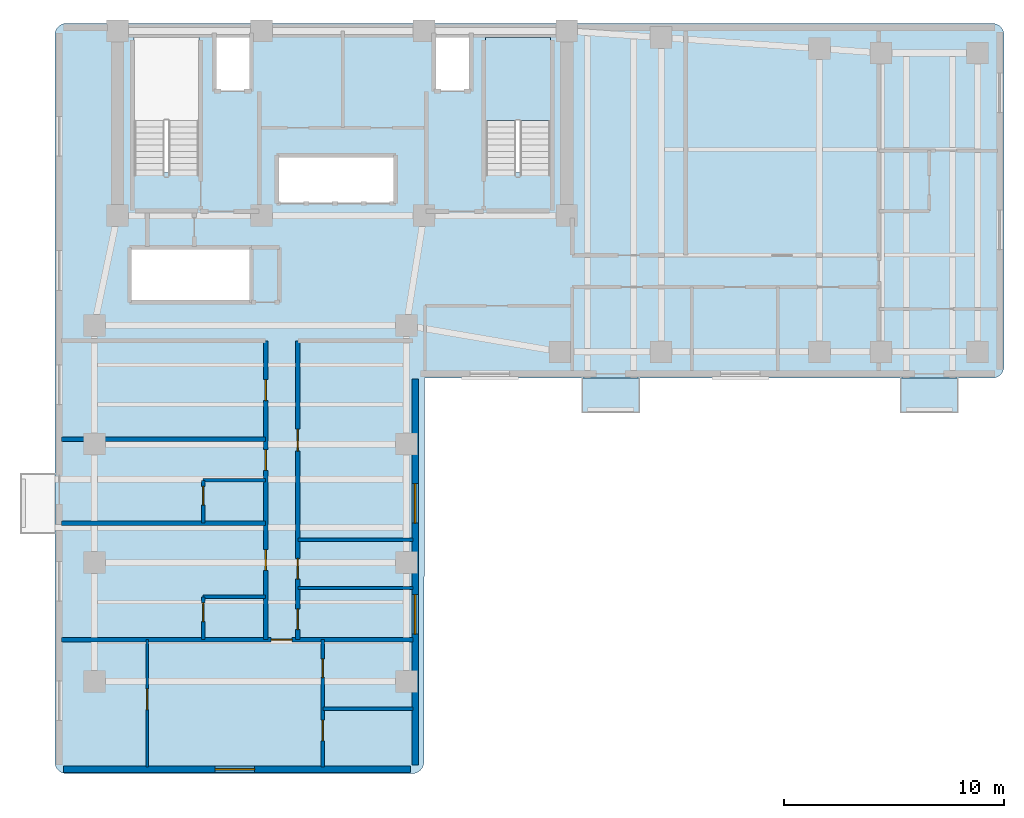
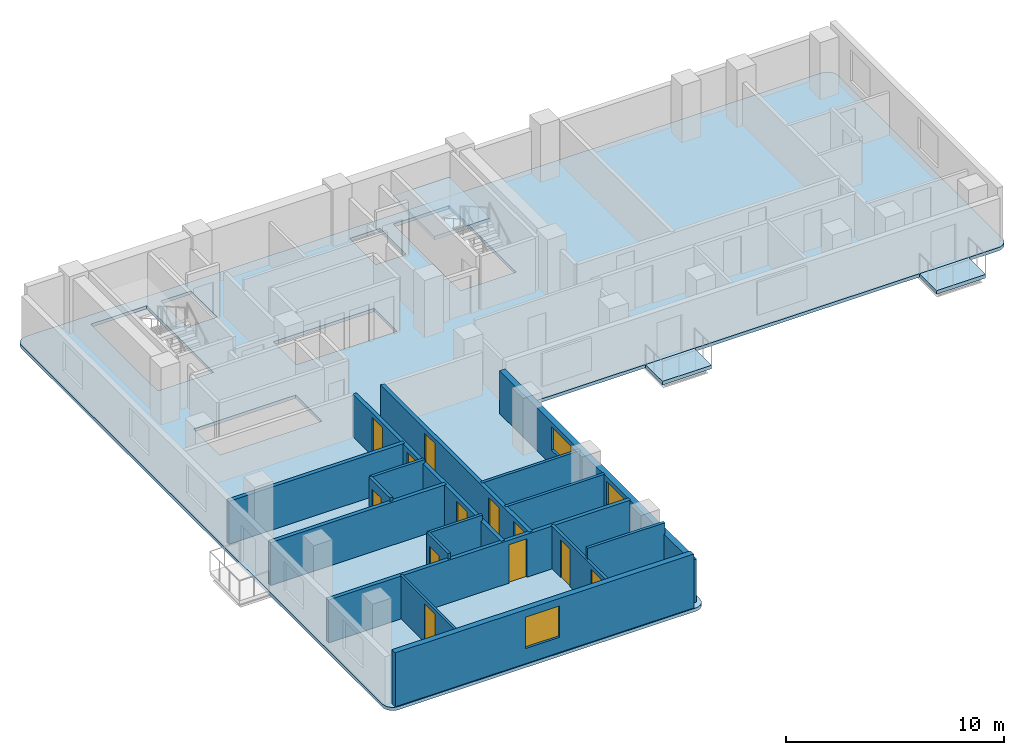
# One storey, part 2 of 7: 16 walls, 12 doors, 4 slabs, 3 windows, 15 openings, 1 element without a shape of its own.
"""IFC4 building model written with IfcOpenShell, lengths in metres."""

from ifc_helpers import new_model, si_unit, direction, frame, frame_2d, origin, place, context, subcontext, project, spatial, polyline, rectangle, outline, extrude, material, layer, layer_set, type_object, element, fill, aggregate, save


model = new_model("IFC4")

# Units and contexts
model_context = context("Model", 3, precision=1e-05, world=origin(), true_north=direction((0.0, 1.0)))
body_context = subcontext(model_context, "Body", "Model", "MODEL_VIEW")
ifc_project = project(units=[si_unit("LENGTHUNIT", "METRE"), si_unit("AREAUNIT", "SQUARE_METRE"), si_unit("VOLUMEUNIT", "CUBIC_METRE"), si_unit("PLANEANGLEUNIT", "RADIAN"), si_unit("MASSUNIT", "GRAM", prefix="KILO")], contexts=[model_context])

# Site, building, storey
site_placement = place(None, origin())
site = spatial("IfcSite", under=ifc_project, at=site_placement, CompositionType="ELEMENT")
building_placement = place(site_placement, origin())
building = spatial("IfcBuilding", under=site, at=building_placement, Name="Kuzgunbayir Cultural Tower", CompositionType="ELEMENT")
storey_placement = place(building_placement, frame((0.0, 0.0, 110.60009765625)))
storey = spatial("IfcBuildingStorey", under=building, at=storey_placement, Name="L31", CompositionType="ELEMENT", Elevation=110.60009765625)

# Slabs
ifc_material_1 = material(Name="Concrete C40/50", Category="concrete")
ifc_layer_1 = layer(ifc_material_1, 0.199951171875)
ifc_layer_set_1 = layer_set([ifc_layer_1], Name="Concrete C40/50")
slab_type_1 = type_object("IfcSlabType", Name="SLB-BAL-STONE", PredefinedType="FLOOR", material=ifc_layer_set_1)
slab_1_placement = place(storey_placement, frame((0.0, 0.0, -0.2001953125)))
element("IfcSlab", 1, at=slab_1_placement, inside=storey, type_object=slab_type_1, Name="L31 Projecting Limestone Balcony BAL-L31-WB1", PredefinedType="FLOOR", context=body_context, shape_type="SweptSolid", body=[
    extrude(outline(polyline([(27.60009765625, 24.840087890625), (30.199951171875, 24.840087890625), (30.199951171875, 26.39990234375), (27.60009765625, 26.39990234375), (27.60009765625, 24.840087890625)])), origin(), (0.0, 0.0, 1.0), 0.2001953125),
])
slab_2_placement = place(storey_placement, frame((0.0, 0.0, -0.2001953125)))
element("IfcSlab", 2, at=slab_2_placement, inside=storey, type_object=slab_type_1, Name="L31 Projecting Limestone Balcony BAL-L31-WB3", PredefinedType="FLOOR", context=body_context, shape_type="SweptSolid", body=[
    extrude(outline(polyline([(42.10009765625, 24.840087890625), (44.699951171875, 24.840087890625), (44.699951171875, 26.39990234375), (42.10009765625, 26.39990234375), (42.10009765625, 24.840087890625)])), origin(), (0.0, 0.0, 1.0), 0.2001953125),
])

# Stair, slab
stair_type = type_object("IfcStairType", Name="STR-EXIT-CORE", PredefinedType="HALF_TURN_STAIR", material=ifc_material_1)
stair_placement = place(storey_placement, origin())
stair = element("IfcStair", 3, at=stair_placement, inside=storey, type_object=stair_type, Name="L31 ST-2", PredefinedType="HALF_TURN_STAIR")
ifc_layer_2 = layer(ifc_material_1, 0.179931640625)
ifc_layer_set_2 = layer_set([ifc_layer_2], Name="Concrete C40/50")
slab_type_2 = type_object("IfcSlabType", Name="SLB-LANDING-180", PredefinedType="LANDING", material=ifc_layer_set_2)
slab_3_placement = place(storey_placement, frame((0.0, 0.0, 1.39990234375)))
slab_3 = element("IfcSlab", 4, at=slab_3_placement, type_object=slab_type_2, Name="ST-2 landing 1", PredefinedType="LANDING", context=body_context, shape_type="SweptSolid", body=[
    extrude(outline(polyline([(26.159912109375, 38.1201171875), (26.159912109375, 41.89990234375), (23.199951171875, 41.89990234375), (23.199951171875, 38.1201171875), (26.159912109375, 38.1201171875)])), origin(), (0.0, 0.0, 1.0), 0.199951171875),
])
aggregate(stair, [slab_3])

# Slab
ifc_layer_3 = layer(ifc_material_1, 0.179931640625)
ifc_layer_set_3 = layer_set([ifc_layer_3], Name="Concrete C40/50")
slab_type_3 = type_object("IfcSlabType", Name="SLB-TYP-180", PredefinedType="FLOOR", material=ifc_layer_set_3)
slab_4_placement = place(storey_placement, frame((0.0, 0.0, -0.18017578125)))
element("IfcSlab", 5, at=slab_4_placement, inside=storey, type_object=slab_type_3, Name="L31 Tower 1 Floor Slab T1-MAIN", PredefinedType="FLOOR", context=body_context, shape_type="SweptSolid", body=[
    extrude(outline(polyline([(20.39990234375, 8.949951171875), (20.389892578125, 8.840087890625), (20.360107421875, 8.739990234375), (20.31005859375, 8.639892578125), (20.239990234375, 8.56005859375), (20.159912109375, 8.489990234375), (20.06005859375, 8.43994140625), (19.9599609375, 8.409912109375), (19.85009765625, 8.39990234375), (4.14990234375, 8.39990234375), (4.0400390625, 8.409912109375), (3.93994140625, 8.43994140625), (3.840087890625, 8.489990234375), (3.760009765625, 8.56005859375), (3.68994140625, 8.639892578125), (3.639892578125, 8.739990234375), (3.610107421875, 8.840087890625), (3.60009765625, 8.949951171875), (3.60009765625, 42.0), (3.610107421875, 42.110107421875), (3.639892578125, 42.2099609375), (3.68994140625, 42.31005859375), (3.760009765625, 42.389892578125), (3.840087890625, 42.4599609375), (3.93994140625, 42.510009765625), (4.0400390625, 42.5400390625), (4.14990234375, 42.550048828125), (46.25, 42.550048828125), (46.360107421875, 42.5400390625), (46.4599609375, 42.510009765625), (46.56005859375, 42.4599609375), (46.639892578125, 42.389892578125), (46.7099609375, 42.31005859375), (46.760009765625, 42.2099609375), (46.7900390625, 42.110107421875), (46.800048828125, 42.0), (46.800048828125, 26.949951171875), (46.7900390625, 26.840087890625), (46.760009765625, 26.739990234375), (46.7099609375, 26.639892578125), (46.639892578125, 26.56005859375), (46.56005859375, 26.489990234375), (46.4599609375, 26.43994140625), (46.360107421875, 26.409912109375), (46.25, 26.39990234375), (20.429931640625, 26.39990234375), (20.39990234375, 8.949951171875)]), holes=[polyline([(7.199951171875, 35.760009765625), (7.199951171875, 41.89990234375), (10.159912109375, 41.89990234375), (10.159912109375, 35.760009765625), (7.199951171875, 35.760009765625)]), polyline([(23.199951171875, 35.760009765625), (23.199951171875, 41.89990234375), (26.159912109375, 41.89990234375), (26.159912109375, 35.760009765625), (23.199951171875, 35.760009765625)]), polyline([(13.75, 34.39990234375), (13.75, 36.5), (19.080078125, 36.5), (19.080078125, 34.39990234375), (13.75, 34.39990234375)]), polyline([(7.10009765625, 29.89990234375), (7.10009765625, 32.300048828125), (12.5, 32.300048828125), (12.5, 29.89990234375), (7.10009765625, 29.89990234375)]), polyline([(10.89990234375, 39.5), (10.89990234375, 41.89990234375), (12.5, 41.89990234375), (12.5, 39.5), (10.89990234375, 39.5)]), polyline([(20.89990234375, 39.5), (20.89990234375, 41.89990234375), (22.5, 41.89990234375), (22.5, 39.5), (20.89990234375, 39.5)])]), origin(), (0.0, 0.0, 1.0), 0.18017578125),
])

# Wall, opening, window
ifc_material_2 = material(Name="Anatolian Cream Limestone", Category="masonry")
ifc_layer_4 = layer(ifc_material_2, 0.300048828125)
ifc_layer_set_4 = layer_set([ifc_layer_4], Name="Anatolian Cream Limestone")
wall_type_1 = type_object("IfcWallType", Name="WAL-EXT-STONE-300", PredefinedType="STANDARD", material=ifc_layer_set_4)
wall_1_placement = place(storey_placement, frame((4.0, 8.60009765625, 0.0), z_axis=(0.0, 0.0, 1.0), x_axis=(1.0, 0.0, 0.0)))
wall_1 = element("IfcWall", 6, at=wall_1_placement, inside=storey, type_object=wall_type_1, Name="L31 Wing A South Limestone Wall", PredefinedType="STANDARD", context=body_context, shape_type="SweptSolid", body=[
    extrude(rectangle(XDim=15.800048828125, YDim=0.300048828125, at=frame_2d((7.89990234375, 0.0))), origin(), (0.0, 0.0, 1.0), 3.02001953125),
])
opening_1_placement = place(wall_1_placement, frame((6.89990234375, 0.0, 0.85009765625)))
opening_1 = element("IfcOpeningElement", 7, at=opening_1_placement, cuts=wall_1, Name="Opening WH-18", PredefinedType="OPENING", context=body_context, shape_type="SweptSolid", body=[
    extrude(rectangle(XDim=1.800048828125, YDim=1.75, at=frame_2d((0.89990234375, 0.875))), frame((0.0, 0.16015625, 0.0), z_axis=(0.0, -1.0, 0.0), x_axis=(1.0, 0.0, 0.0)), (0.0, 0.0, 1.0), 0.320068359375),
])
ifc_material_3 = material(Name="Solar-Control Triple Glazing", Category="glass")
window_type = type_object("IfcWindowType", Name="WIN-HOTEL-18", PartitioningType="SINGLE_PANEL", PredefinedType="WINDOW", material=ifc_material_3)
window_1_placement = place(opening_1_placement, origin())
window_1 = element("IfcWindow", 8, at=window_1_placement, inside=storey, type_object=window_type, Name="L31 WAS Facade Window 3", OverallHeight=1.75, OverallWidth=1.800048828125, PartitioningType="SINGLE_PANEL", PredefinedType="WINDOW", context=body_context, shape_type="SweptSolid", body=[
    extrude(rectangle(XDim=1.800048828125, YDim=1.75, at=frame_2d((0.89990234375, 0.875))), frame((0.0, 0.030029296875, 0.0), z_axis=(0.0, -1.0, 0.0), x_axis=(1.0, 0.0, 0.0)), (0.0, 0.0, 1.0), 0.06005859375),
])
fill(opening_1, window_1)

# Wall, openings, windows
wall_2_placement = place(storey_placement, frame((20.0, 8.800048828125, 0.0), z_axis=(0.0, 0.0, 1.0), x_axis=(0.0, 1.0, 0.0)))
wall_2 = element("IfcWall", 9, at=wall_2_placement, inside=storey, type_object=wall_type_1, Name="L31 Wing A East Limestone Wall", PredefinedType="STANDARD", context=body_context, shape_type="SweptSolid", body=[
    extrude(rectangle(XDim=17.550048828125, YDim=0.300048828125, at=frame_2d((8.77490234375, 0.0))), origin(), (0.0, 0.0, 1.0), 2.39990234375),
])
opening_2_placement = place(wall_2_placement, frame((5.949951171875, 0.0, 0.85009765625)))
opening_2 = element("IfcOpeningElement", 10, at=opening_2_placement, cuts=wall_2, Name="Opening WH-18", PredefinedType="OPENING", context=body_context, shape_type="SweptSolid", body=[
    extrude(rectangle(XDim=1.800048828125, YDim=1.300048828125, at=frame_2d((0.89990234375, 0.64990234375))), frame((0.0, 0.16015625, 0.0), z_axis=(0.0, -1.0, 0.0), x_axis=(1.0, 0.0, 0.0)), (0.0, 0.0, 1.0), 0.320068359375),
])
opening_3_placement = place(wall_2_placement, frame((11.0, 0.0, 0.85009765625)))
opening_3 = element("IfcOpeningElement", 11, at=opening_3_placement, cuts=wall_2, Name="Opening WH-18", PredefinedType="OPENING", context=body_context, shape_type="SweptSolid", body=[
    extrude(rectangle(XDim=1.800048828125, YDim=1.300048828125, at=frame_2d((0.89990234375, 0.64990234375))), frame((0.0, 0.16015625, 0.0), z_axis=(0.0, -1.0, 0.0), x_axis=(1.0, 0.0, 0.0)), (0.0, 0.0, 1.0), 0.320068359375),
])
window_2_placement = place(opening_2_placement, origin())
window_2 = element("IfcWindow", 12, at=window_2_placement, inside=storey, type_object=window_type, Name="L31 WAE Facade Window 9", OverallHeight=1.300048828125, OverallWidth=1.800048828125, PartitioningType="SINGLE_PANEL", PredefinedType="WINDOW", context=body_context, shape_type="SweptSolid", body=[
    extrude(rectangle(XDim=1.800048828125, YDim=1.300048828125, at=frame_2d((0.89990234375, 0.64990234375))), frame((0.0, 0.030029296875, 0.0), z_axis=(0.0, -1.0, 0.0), x_axis=(1.0, 0.0, 0.0)), (0.0, 0.0, 1.0), 0.06005859375),
])
fill(opening_2, window_2)
window_3_placement = place(opening_3_placement, origin())
window_3 = element("IfcWindow", 13, at=window_3_placement, inside=storey, type_object=window_type, Name="L31 WAE Facade Window 10", OverallHeight=1.300048828125, OverallWidth=1.800048828125, PartitioningType="SINGLE_PANEL", PredefinedType="WINDOW", context=body_context, shape_type="SweptSolid", body=[
    extrude(rectangle(XDim=1.800048828125, YDim=1.300048828125, at=frame_2d((0.89990234375, 0.64990234375))), frame((0.0, 0.030029296875, 0.0), z_axis=(0.0, -1.0, 0.0), x_axis=(1.0, 0.0, 0.0)), (0.0, 0.0, 1.0), 0.06005859375),
])
fill(opening_3, window_3)

# Wall
ifc_material_4 = material(Name="Acoustic Double-Stud Drywall", Category="gypsum")
ifc_layer_5 = layer(ifc_material_4, 0.14990234375)
ifc_layer_set_5 = layer_set([ifc_layer_5], Name="Acoustic Double-Stud Drywall")
wall_type_2 = type_object("IfcWallType", Name="WAL-PART-ACOUSTIC-150", PredefinedType="PARTITIONING", material=ifc_layer_set_5)
wall_3_placement = place(storey_placement, frame((14.659912109375, 16.85009765625, 0.0), z_axis=(0.0, 0.0, 1.0), x_axis=(1.0, 0.0, 0.0)))
element("IfcWall", 14, at=wall_3_placement, inside=storey, type_object=wall_type_2, Name="L31 Housekeeping North Wall", PredefinedType="PARTITIONING", context=body_context, shape_type="SweptSolid", body=[
    extrude(rectangle(XDim=5.239990234375, YDim=0.14990234375, at=frame_2d((2.6201171875, 0.0))), origin(), (0.0, 0.0, 1.0), 2.39990234375),
])

# Wall, openings, doors
ifc_material_5 = material(Name="Aerated Concrete Blockwork", Category="masonry")
ifc_layer_6 = layer(ifc_material_5, 0.199951171875)
ifc_layer_set_6 = layer_set([ifc_layer_6], Name="Aerated Concrete Blockwork")
wall_type_3 = type_object("IfcWallType", Name="WAL-PART-FIRE-200", PredefinedType="PARTITIONING", material=ifc_layer_set_6)
wall_4_placement = place(storey_placement, frame((13.199951171875, 14.5, 0.0), z_axis=(0.0, 0.0, 1.0), x_axis=(0.0, 1.0, 0.0)))
wall_4 = element("IfcWall", 15, at=wall_4_placement, inside=storey, type_object=wall_type_3, Name="L31 Wing A West Corridor Wall", PredefinedType="PARTITIONING", context=body_context, shape_type="SweptSolid", body=[
    extrude(rectangle(XDim=13.60009765625, YDim=0.199951171875, at=frame_2d((6.800048828125, 0.0))), origin(), (0.0, 0.0, 1.0), 2.39990234375),
])
opening_4_placement = place(wall_4_placement, frame((3.14990234375, 0.0, 0.0)))
opening_4 = element("IfcOpeningElement", 16, at=opening_4_placement, cuts=wall_4, Name="Opening DR-APT-60", PredefinedType="OPENING", context=body_context, shape_type="SweptSolid", body=[
    extrude(rectangle(XDim=0.949951171875, YDim=2.14990234375, at=frame_2d((0.47509765625, 1.074951171875))), frame((0.0, 0.10986328125, 0.0), z_axis=(0.0, -1.0, 0.0), x_axis=(1.0, 0.0, 0.0)), (0.0, 0.0, 1.0), 0.219970703125),
])
opening_5_placement = place(wall_4_placement, frame((7.699951171875, 0.0, 0.0)))
opening_5 = element("IfcOpeningElement", 17, at=opening_5_placement, cuts=wall_4, Name="Opening DR-APT-60", PredefinedType="OPENING", context=body_context, shape_type="SweptSolid", body=[
    extrude(rectangle(XDim=0.949951171875, YDim=2.14990234375, at=frame_2d((0.47509765625, 1.074951171875))), frame((0.0, 0.10986328125, 0.0), z_axis=(0.0, -1.0, 0.0), x_axis=(1.0, 0.0, 0.0)), (0.0, 0.0, 1.0), 0.219970703125),
])
opening_6_placement = place(wall_4_placement, frame((10.8798828125, 0.0, 0.0)))
opening_6 = element("IfcOpeningElement", 18, at=opening_6_placement, cuts=wall_4, Name="Opening DI-90", PredefinedType="OPENING", context=body_context, shape_type="SweptSolid", body=[
    extrude(rectangle(XDim=0.949951171875, YDim=2.14990234375, at=frame_2d((0.47509765625, 1.074951171875))), frame((0.0, 0.10986328125, 0.0), z_axis=(0.0, -1.0, 0.0), x_axis=(1.0, 0.0, 0.0)), (0.0, 0.0, 1.0), 0.219970703125),
])
ifc_material_6 = material(Name="Acoustic Fire Timber Leaf", Category="wood")
door_type_1 = type_object("IfcDoorType", Name="DR-APT-60", OperationType="NOTDEFINED", PredefinedType="DOOR", material=ifc_material_6)
door_1_placement = place(opening_4_placement, origin())
door_1 = element("IfcDoor", 19, at=door_1_placement, inside=storey, type_object=door_type_1, Name="L31 Guest Suite W1 Entrance", OperationType="SINGLE_SWING_RIGHT", OverallHeight=2.14990234375, OverallWidth=0.949951171875, PredefinedType="DOOR", context=body_context, shape_type="SweptSolid", body=[
    extrude(rectangle(XDim=0.949951171875, YDim=2.14990234375, at=frame_2d((0.47509765625, 1.074951171875))), frame((0.0, 0.02490234375, 0.0), z_axis=(0.0, -1.0, 0.0), x_axis=(1.0, 0.0, 0.0)), (0.0, 0.0, 1.0), 0.050048828125),
])
fill(opening_4, door_1)
door_2_placement = place(opening_5_placement, origin())
door_2 = element("IfcDoor", 20, at=door_2_placement, inside=storey, type_object=door_type_1, Name="L31 Guest Suite W2 Entrance", OperationType="SINGLE_SWING_RIGHT", OverallHeight=2.14990234375, OverallWidth=0.949951171875, PredefinedType="DOOR", context=body_context, shape_type="SweptSolid", body=[
    extrude(rectangle(XDim=0.949951171875, YDim=2.14990234375, at=frame_2d((0.47509765625, 1.074951171875))), frame((0.0, 0.02490234375, 0.0), z_axis=(0.0, -1.0, 0.0), x_axis=(1.0, 0.0, 0.0)), (0.0, 0.0, 1.0), 0.050048828125),
])
fill(opening_5, door_2)
ifc_material_7 = material(Name="Veneered Oak Single Leaf", Category="wood")
door_type_2 = type_object("IfcDoorType", Name="DR-INT-90", OperationType="NOTDEFINED", PredefinedType="DOOR", material=ifc_material_7)
door_3_placement = place(opening_6_placement, origin())
door_3 = element("IfcDoor", 21, at=door_3_placement, inside=storey, type_object=door_type_2, Name="L31 Seminar Boardroom 3 Door", OperationType="SINGLE_SWING_LEFT", OverallHeight=2.14990234375, OverallWidth=0.949951171875, PredefinedType="DOOR", context=body_context, shape_type="SweptSolid", body=[
    extrude(rectangle(XDim=0.949951171875, YDim=2.14990234375, at=frame_2d((0.47509765625, 1.074951171875))), frame((0.0, 0.02490234375, 0.0), z_axis=(0.0, -1.0, 0.0), x_axis=(1.0, 0.0, 0.0)), (0.0, 0.0, 1.0), 0.050048828125),
])
fill(opening_6, door_3)

wall_5_placement = place(storey_placement, frame((14.659912109375, 14.5, 0.0), z_axis=(0.0, 0.0, 1.0), x_axis=(0.0, 1.0, 0.0)))
wall_5 = element("IfcWall", 22, at=wall_5_placement, inside=storey, type_object=wall_type_3, Name="L31 Wing A East Corridor Wall", PredefinedType="PARTITIONING", context=body_context, shape_type="SweptSolid", body=[
    extrude(rectangle(XDim=13.60009765625, YDim=0.199951171875, at=frame_2d((6.800048828125, 0.0))), origin(), (0.0, 0.0, 1.0), 2.39990234375),
])
opening_7_placement = place(wall_5_placement, frame((0.449951171875, 0.0, 0.0)))
opening_7 = element("IfcOpeningElement", 23, at=opening_7_placement, cuts=wall_5, Name="Opening DI-90", PredefinedType="OPENING", context=body_context, shape_type="SweptSolid", body=[
    extrude(rectangle(XDim=0.949951171875, YDim=2.14990234375, at=frame_2d((0.47509765625, 1.074951171875))), frame((0.0, 0.10986328125, 0.0), z_axis=(0.0, -1.0, 0.0), x_axis=(1.0, 0.0, 0.0)), (0.0, 0.0, 1.0), 0.219970703125),
])
opening_8_placement = place(wall_5_placement, frame((2.75, 0.0, 0.0)))
opening_8 = element("IfcOpeningElement", 24, at=opening_8_placement, cuts=wall_5, Name="Opening DW-95", PredefinedType="OPENING", context=body_context, shape_type="SweptSolid", body=[
    extrude(rectangle(XDim=0.949951171875, YDim=2.10009765625, at=frame_2d((0.47509765625, 1.050048828125))), frame((0.0, 0.10986328125, 0.0), z_axis=(0.0, -1.0, 0.0), x_axis=(1.0, 0.0, 0.0)), (0.0, 0.0, 1.0), 0.219970703125),
])
opening_9_placement = place(wall_5_placement, frame((8.580078125, 0.0, 0.0)))
opening_9 = element("IfcOpeningElement", 25, at=opening_9_placement, cuts=wall_5, Name="Opening DI-100", PredefinedType="OPENING", context=body_context, shape_type="SweptSolid", body=[
    extrude(rectangle(XDim=1.0, YDim=2.14990234375, at=frame_2d((0.5, 1.074951171875))), frame((0.0, 0.10986328125, 0.0), z_axis=(0.0, -1.0, 0.0), x_axis=(1.0, 0.0, 0.0)), (0.0, 0.0, 1.0), 0.219970703125),
])
door_type_3 = type_object("IfcDoorType", Name="DR-INT-100", OperationType="NOTDEFINED", PredefinedType="DOOR", material=ifc_material_7)
door_4_placement = place(opening_9_placement, origin())
door_4 = element("IfcDoor", 26, at=door_4_placement, inside=storey, type_object=door_type_3, Name="L31 East Seminar Boardroom Door", OperationType="SINGLE_SWING_RIGHT", OverallHeight=2.14990234375, OverallWidth=1.0, PredefinedType="DOOR", context=body_context, shape_type="SweptSolid", body=[
    extrude(rectangle(XDim=1.0, YDim=2.14990234375, at=frame_2d((0.5, 1.074951171875))), frame((0.0, 0.02490234375, 0.0), z_axis=(0.0, -1.0, 0.0), x_axis=(1.0, 0.0, 0.0)), (0.0, 0.0, 1.0), 0.050048828125),
])
fill(opening_9, door_4)
door_5_placement = place(opening_7_placement, origin())
door_5 = element("IfcDoor", 27, at=door_5_placement, inside=storey, type_object=door_type_2, Name="L31 Housekeeping Room Door", OperationType="SINGLE_SWING_RIGHT", OverallHeight=2.14990234375, OverallWidth=0.949951171875, PredefinedType="DOOR", context=body_context, shape_type="SweptSolid", body=[
    extrude(rectangle(XDim=0.949951171875, YDim=2.14990234375, at=frame_2d((0.47509765625, 1.074951171875))), frame((0.0, 0.02490234375, 0.0), z_axis=(0.0, -1.0, 0.0), x_axis=(1.0, 0.0, 0.0)), (0.0, 0.0, 1.0), 0.050048828125),
])
fill(opening_7, door_5)
ifc_material_8 = material(Name="Laminate Moisture-Resistant Leaf", Category="wood")
door_type_4 = type_object("IfcDoorType", Name="DR-WET-95", OperationType="NOTDEFINED", PredefinedType="DOOR", material=ifc_material_8)
door_6_placement = place(opening_8_placement, origin())
door_6 = element("IfcDoor", 28, at=door_6_placement, inside=storey, type_object=door_type_4, Name="L31 Accessible WC Door", OperationType="SINGLE_SWING_LEFT", OverallHeight=2.10009765625, OverallWidth=0.949951171875, PredefinedType="DOOR", context=body_context, shape_type="SweptSolid", body=[
    extrude(rectangle(XDim=0.949951171875, YDim=2.10009765625, at=frame_2d((0.47509765625, 1.050048828125))), frame((0.0, 0.02490234375, 0.0), z_axis=(0.0, -1.0, 0.0), x_axis=(1.0, 0.0, 0.0)), (0.0, 0.0, 1.0), 0.050048828125),
])
fill(opening_8, door_6)

# Wall, opening, door
wall_6_placement = place(storey_placement, frame((3.89990234375, 14.5, 0.0), z_axis=(0.0, 0.0, 1.0), x_axis=(1.0, 0.0, 0.0)))
wall_6 = element("IfcWall", 29, at=wall_6_placement, inside=storey, type_object=wall_type_3, Name="L31 South Cross Partition", PredefinedType="PARTITIONING", context=body_context, shape_type="SweptSolid", body=[
    extrude(rectangle(XDim=16.0, YDim=0.199951171875, at=frame_2d((8.0, 0.0))), origin(), (0.0, 0.0, 1.0), 2.39990234375),
])
opening_10_placement = place(wall_6_placement, frame((9.550048828125, 0.0, 0.0)))
opening_10 = element("IfcOpeningElement", 30, at=opening_10_placement, cuts=wall_6, Name="Opening DR-APT-60", PredefinedType="OPENING", context=body_context, shape_type="SweptSolid", body=[
    extrude(rectangle(XDim=0.949951171875, YDim=2.14990234375, at=frame_2d((0.47509765625, 1.074951171875))), frame((0.0, 0.10986328125, 0.0), z_axis=(0.0, -1.0, 0.0), x_axis=(1.0, 0.0, 0.0)), (0.0, 0.0, 1.0), 0.219970703125),
])
door_7_placement = place(opening_10_placement, origin())
door_7 = element("IfcDoor", 31, at=door_7_placement, inside=storey, type_object=door_type_1, Name="L31 Diplomatic Suite Entrance", OperationType="SINGLE_SWING_RIGHT", OverallHeight=2.14990234375, OverallWidth=0.949951171875, PredefinedType="DOOR", context=body_context, shape_type="SweptSolid", body=[
    extrude(rectangle(XDim=0.949951171875, YDim=2.14990234375, at=frame_2d((0.47509765625, 1.074951171875))), frame((0.0, 0.02490234375, 0.0), z_axis=(0.0, -1.0, 0.0), x_axis=(1.0, 0.0, 0.0)), (0.0, 0.0, 1.0), 0.050048828125),
])
fill(opening_10, door_7)

# Walls
for number, where, z_axis, x_axis, name in (
    (32, (3.89990234375, 19.800048828125, 0.0), (0.0, 0.0, 1.0), (1.0, 0.0, 0.0), "L31 West Party Wall 1"),
    (33, (3.89990234375, 23.610107421875, 0.0), (0.0, 0.0, 1.0), (1.0, 0.0, 0.0), "L31 West Party Wall 2"),
):
    element("IfcWall", number, at=place(storey_placement, frame(where, z_axis=z_axis, x_axis=x_axis)), inside=storey, type_object=wall_type_3, Name=name, PredefinedType="PARTITIONING", context=body_context, shape_type="SweptSolid", body=[
        extrude(rectangle(XDim=9.300048828125, YDim=0.199951171875, at=frame_2d((4.64990234375, 0.0))), origin(), (0.0, 0.0, 1.0), 2.39990234375),
    ])

# Wall, opening, door
ifc_material_9 = material(Name="Framed Gypsum Partition", Category="gypsum")
ifc_layer_7 = layer(ifc_material_9, 0.1201171875)
ifc_layer_set_7 = layer_set([ifc_layer_7], Name="Framed Gypsum Partition")
wall_type_4 = type_object("IfcWallType", Name="WAL-PART-INT-120", PredefinedType="PARTITIONING", material=ifc_layer_set_7)
wall_7_placement = place(storey_placement, frame((7.800048828125, 8.699951171875, 0.0), z_axis=(0.0, 0.0, 1.0), x_axis=(0.0, 1.0, 0.0)))
wall_7 = element("IfcWall", 34, at=wall_7_placement, inside=storey, type_object=wall_type_4, Name="L31 Diplomatic Suite Bedroom Wall", PredefinedType="PARTITIONING", context=body_context, shape_type="SweptSolid", body=[
    extrude(rectangle(XDim=5.800048828125, YDim=0.1201171875, at=frame_2d((2.89990234375, 0.0))), origin(), (0.0, 0.0, 1.0), 2.39990234375),
])
opening_11_placement = place(wall_7_placement, frame((2.610107421875, 0.0, 0.0)))
opening_11 = element("IfcOpeningElement", 35, at=opening_11_placement, cuts=wall_7, Name="Opening DI-90", PredefinedType="OPENING", context=body_context, shape_type="SweptSolid", body=[
    extrude(rectangle(XDim=0.949951171875, YDim=2.14990234375, at=frame_2d((0.47509765625, 1.074951171875))), frame((0.0, 0.070068359375, 0.0), z_axis=(0.0, -1.0, 0.0), x_axis=(1.0, 0.0, 0.0)), (0.0, 0.0, 1.0), 0.14013671875),
])
door_8_placement = place(opening_11_placement, origin())
door_8 = element("IfcDoor", 36, at=door_8_placement, inside=storey, type_object=door_type_2, Name="L31 Diplomatic Bedroom Door", OperationType="SINGLE_SWING_LEFT", OverallHeight=2.14990234375, OverallWidth=0.949951171875, PredefinedType="DOOR", context=body_context, shape_type="SweptSolid", body=[
    extrude(rectangle(XDim=0.949951171875, YDim=2.14990234375, at=frame_2d((0.47509765625, 1.074951171875))), frame((0.0, 0.02490234375, 0.0), z_axis=(0.0, -1.0, 0.0), x_axis=(1.0, 0.0, 0.0)), (0.0, 0.0, 1.0), 0.050048828125),
])
fill(opening_11, door_8)

# Wall
ifc_material_10 = material(Name="Moisture-Resistant Tile Partition", Category="gypsum")
ifc_layer_8 = layer(ifc_material_10, 0.14990234375)
ifc_layer_set_8 = layer_set([ifc_layer_8], Name="Moisture-Resistant Tile Partition")
wall_type_5 = type_object("IfcWallType", Name="WAL-PART-WET-150", PredefinedType="PARTITIONING", material=ifc_layer_set_8)
wall_8_placement = place(storey_placement, frame((10.35009765625, 16.449951171875, 0.0), z_axis=(0.0, 0.0, 1.0), x_axis=(1.0, 0.0, 0.0)))
element("IfcWall", 37, at=wall_8_placement, inside=storey, type_object=wall_type_5, Name="L31 Suite W1 En-Suite North Wall", PredefinedType="PARTITIONING", context=body_context, shape_type="SweptSolid", body=[
    extrude(rectangle(XDim=2.849853515625, YDim=0.14990234375, at=frame_2d((1.4248046875, 0.0))), origin(), (0.0, 0.0, 1.0), 2.699951171875),
])

# Wall, opening, door
wall_9_placement = place(storey_placement, frame((10.35009765625, 14.5, 0.0), z_axis=(0.0, 0.0, 1.0), x_axis=(0.0, 1.0, 0.0)))
wall_9 = element("IfcWall", 38, at=wall_9_placement, inside=storey, type_object=wall_type_5, Name="L31 Suite W1 En-Suite West Wall", PredefinedType="PARTITIONING", context=body_context, shape_type="SweptSolid", body=[
    extrude(rectangle(XDim=1.949951171875, YDim=0.14990234375, at=frame_2d((0.97509765625, 0.0))), origin(), (0.0, 0.0, 1.0), 2.699951171875),
])
opening_12_placement = place(wall_9_placement, frame((0.820068359375, 0.0, 0.0)))
opening_12 = element("IfcOpeningElement", 39, at=opening_12_placement, cuts=wall_9, Name="Opening DW-85", PredefinedType="OPENING", context=body_context, shape_type="SweptSolid", body=[
    extrude(rectangle(XDim=0.85009765625, YDim=2.10009765625, at=frame_2d((0.425048828125, 1.050048828125))), frame((0.0, 0.0849609375, 0.0), z_axis=(0.0, -1.0, 0.0), x_axis=(1.0, 0.0, 0.0)), (0.0, 0.0, 1.0), 0.169921875),
])
door_type_5 = type_object("IfcDoorType", Name="DR-WET-85", OperationType="NOTDEFINED", PredefinedType="DOOR", material=ifc_material_8)
door_9_placement = place(opening_12_placement, origin())
door_9 = element("IfcDoor", 40, at=door_9_placement, inside=storey, type_object=door_type_5, Name="L31 Suite W1 En-Suite Door", OperationType="SINGLE_SWING_LEFT", OverallHeight=2.10009765625, OverallWidth=0.85009765625, PredefinedType="DOOR", context=body_context, shape_type="SweptSolid", body=[
    extrude(rectangle(XDim=0.85009765625, YDim=2.10009765625, at=frame_2d((0.425048828125, 1.050048828125))), frame((0.0, 0.02490234375, 0.0), z_axis=(0.0, -1.0, 0.0), x_axis=(1.0, 0.0, 0.0)), (0.0, 0.0, 1.0), 0.050048828125),
])
fill(opening_12, door_9)

# Wall
wall_10_placement = place(storey_placement, frame((10.35009765625, 21.75, 0.0), z_axis=(0.0, 0.0, 1.0), x_axis=(1.0, 0.0, 0.0)))
element("IfcWall", 41, at=wall_10_placement, inside=storey, type_object=wall_type_5, Name="L31 Suite W2 En-Suite North Wall", PredefinedType="PARTITIONING", context=body_context, shape_type="SweptSolid", body=[
    extrude(rectangle(XDim=2.849853515625, YDim=0.14990234375, at=frame_2d((1.4248046875, 0.0))), origin(), (0.0, 0.0, 1.0), 2.599853515625),
])

# Wall, opening, door
wall_11_placement = place(storey_placement, frame((10.35009765625, 19.800048828125, 0.0), z_axis=(0.0, 0.0, 1.0), x_axis=(0.0, 1.0, 0.0)))
wall_11 = element("IfcWall", 42, at=wall_11_placement, inside=storey, type_object=wall_type_5, Name="L31 Suite W2 En-Suite West Wall", PredefinedType="PARTITIONING", context=body_context, shape_type="SweptSolid", body=[
    extrude(rectangle(XDim=1.949951171875, YDim=0.14990234375, at=frame_2d((0.97509765625, 0.0))), origin(), (0.0, 0.0, 1.0), 2.599853515625),
])
opening_13_placement = place(wall_11_placement, frame((0.820068359375, 0.0, 0.0)))
opening_13 = element("IfcOpeningElement", 43, at=opening_13_placement, cuts=wall_11, Name="Opening DW-85", PredefinedType="OPENING", context=body_context, shape_type="SweptSolid", body=[
    extrude(rectangle(XDim=0.85009765625, YDim=2.10009765625, at=frame_2d((0.425048828125, 1.050048828125))), frame((0.0, 0.0849609375, 0.0), z_axis=(0.0, -1.0, 0.0), x_axis=(1.0, 0.0, 0.0)), (0.0, 0.0, 1.0), 0.169921875),
])
door_10_placement = place(opening_13_placement, origin())
door_10 = element("IfcDoor", 44, at=door_10_placement, inside=storey, type_object=door_type_5, Name="L31 Suite W2 En-Suite Door", OperationType="SINGLE_SWING_LEFT", OverallHeight=2.10009765625, OverallWidth=0.85009765625, PredefinedType="DOOR", context=body_context, shape_type="SweptSolid", body=[
    extrude(rectangle(XDim=0.85009765625, YDim=2.10009765625, at=frame_2d((0.425048828125, 1.050048828125))), frame((0.0, 0.02490234375, 0.0), z_axis=(0.0, -1.0, 0.0), x_axis=(1.0, 0.0, 0.0)), (0.0, 0.0, 1.0), 0.050048828125),
])
fill(opening_13, door_10)

# Wall, openings, doors
wall_12_placement = place(storey_placement, frame((15.800048828125, 8.699951171875, 0.0), z_axis=(0.0, 0.0, 1.0), x_axis=(0.0, 1.0, 0.0)))
wall_12 = element("IfcWall", 45, at=wall_12_placement, inside=storey, type_object=wall_type_5, Name="L31 Diplomatic Suite Service Wall", PredefinedType="PARTITIONING", context=body_context, shape_type="SweptSolid", body=[
    extrude(rectangle(XDim=5.800048828125, YDim=0.14990234375, at=frame_2d((2.89990234375, 0.0))), origin(), (0.0, 0.0, 1.0), 2.39990234375),
])
opening_14_placement = place(wall_12_placement, frame((1.18994140625, 0.0, 0.0)))
opening_14 = element("IfcOpeningElement", 46, at=opening_14_placement, cuts=wall_12, Name="Opening DI-90", PredefinedType="OPENING", context=body_context, shape_type="SweptSolid", body=[
    extrude(rectangle(XDim=0.949951171875, YDim=2.14990234375, at=frame_2d((0.47509765625, 1.074951171875))), frame((0.0, 0.0849609375, 0.0), z_axis=(0.0, -1.0, 0.0), x_axis=(1.0, 0.0, 0.0)), (0.0, 0.0, 1.0), 0.169921875),
])
opening_15_placement = place(wall_12_placement, frame((4.070068359375, 0.0, 0.0)))
opening_15 = element("IfcOpeningElement", 47, at=opening_15_placement, cuts=wall_12, Name="Opening DW-85", PredefinedType="OPENING", context=body_context, shape_type="SweptSolid", body=[
    extrude(rectangle(XDim=0.85009765625, YDim=2.10009765625, at=frame_2d((0.425048828125, 1.050048828125))), frame((0.0, 0.0849609375, 0.0), z_axis=(0.0, -1.0, 0.0), x_axis=(1.0, 0.0, 0.0)), (0.0, 0.0, 1.0), 0.169921875),
])
door_11_placement = place(opening_14_placement, origin())
door_11 = element("IfcDoor", 48, at=door_11_placement, inside=storey, type_object=door_type_2, Name="L31 Diplomatic Kitchen Door", OperationType="SINGLE_SWING_RIGHT", OverallHeight=2.14990234375, OverallWidth=0.949951171875, PredefinedType="DOOR", context=body_context, shape_type="SweptSolid", body=[
    extrude(rectangle(XDim=0.949951171875, YDim=2.14990234375, at=frame_2d((0.47509765625, 1.074951171875))), frame((0.0, 0.02490234375, 0.0), z_axis=(0.0, -1.0, 0.0), x_axis=(1.0, 0.0, 0.0)), (0.0, 0.0, 1.0), 0.050048828125),
])
fill(opening_14, door_11)
door_12_placement = place(opening_15_placement, origin())
door_12 = element("IfcDoor", 49, at=door_12_placement, inside=storey, type_object=door_type_5, Name="L31 Diplomatic Bathroom Door", OperationType="SINGLE_SWING_LEFT", OverallHeight=2.10009765625, OverallWidth=0.85009765625, PredefinedType="DOOR", context=body_context, shape_type="SweptSolid", body=[
    extrude(rectangle(XDim=0.85009765625, YDim=2.10009765625, at=frame_2d((0.425048828125, 1.050048828125))), frame((0.0, 0.02490234375, 0.0), z_axis=(0.0, -1.0, 0.0), x_axis=(1.0, 0.0, 0.0)), (0.0, 0.0, 1.0), 0.050048828125),
])
fill(opening_15, door_12)

# Walls
wall_13_placement = place(storey_placement, frame((15.800048828125, 11.35009765625, 0.0), z_axis=(0.0, 0.0, 1.0), x_axis=(1.0, 0.0, 0.0)))
element("IfcWall", 50, at=wall_13_placement, inside=storey, type_object=wall_type_5, Name="L31 Diplomatic Suite Bath Kitchen Divider", PredefinedType="PARTITIONING", context=body_context, shape_type="SweptSolid", body=[
    extrude(rectangle(XDim=4.099853515625, YDim=0.14990234375, at=frame_2d((2.0498046875, 0.0))), origin(), (0.0, 0.0, 1.0), 3.02001953125),
])
wall_14_placement = place(storey_placement, frame((14.659912109375, 19.050048828125, 0.0), z_axis=(0.0, 0.0, 1.0), x_axis=(1.0, 0.0, 0.0)))
element("IfcWall", 51, at=wall_14_placement, inside=storey, type_object=wall_type_5, Name="L31 Accessible WC North Wall", PredefinedType="PARTITIONING", context=body_context, shape_type="SweptSolid", body=[
    extrude(rectangle(XDim=5.239990234375, YDim=0.14990234375, at=frame_2d((2.6201171875, 0.0))), origin(), (0.0, 0.0, 1.0), 2.39990234375),
])

save(model, "model.ifc")
